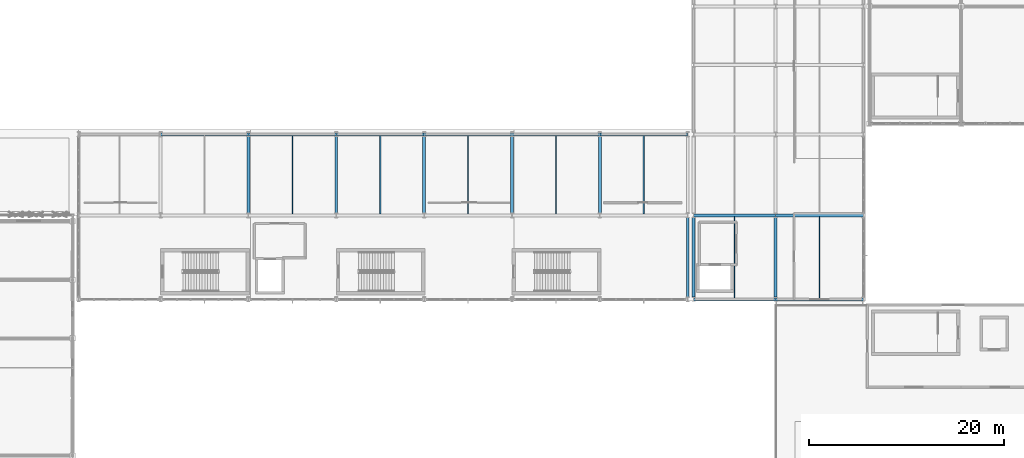
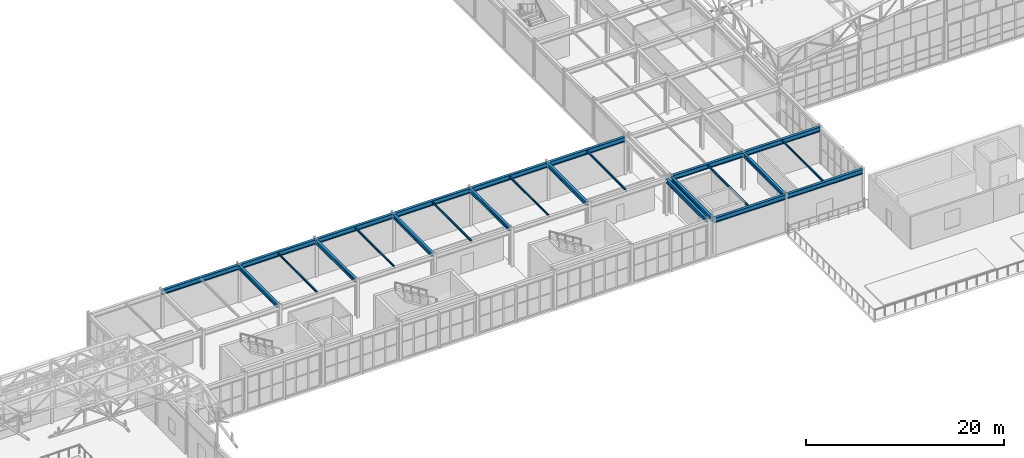
# One storey, part 38 of 112: 25 beams.
"""IFC4 building model written with IfcOpenShell, lengths in metres."""

from ifc_helpers import new_model, si_unit, direction, frame, origin, origin_2d, place, context, subcontext, project, spatial, i_section, extrude, material, material_profile, profile_set, type_object, element, save


model = new_model("IFC4")

# Units and contexts
model_context = context("Model", 3, precision=1e-05, world=origin(), true_north=direction((0.0, 1.0)))
body_context = subcontext(model_context, "Body", "Model", "MODEL_VIEW")
ifc_project = project(units=[si_unit("LENGTHUNIT", "METRE"), si_unit("AREAUNIT", "SQUARE_METRE"), si_unit("VOLUMEUNIT", "CUBIC_METRE"), si_unit("PLANEANGLEUNIT", "RADIAN"), si_unit("MASSUNIT", "GRAM", prefix="KILO")], contexts=[model_context])

# Site, building, storey
site_placement = place(None, origin())
site = spatial("IfcSite", under=ifc_project, at=site_placement, CompositionType="ELEMENT")
building_placement = place(site_placement, origin())
building = spatial("IfcBuilding", under=site, at=building_placement, Name="Kaldris Quays Convention Centre", CompositionType="ELEMENT")
storey_placement = place(building_placement, frame((0.0, 0.0, 16.800048828125)))
storey = spatial("IfcBuildingStorey", under=building, at=storey_placement, Name="L03", CompositionType="ELEMENT", Elevation=16.800048828125)

# Beams
ifc_material = material(Name="Steel S355J2", Category="steel")
ifc_material_profile_1 = material_profile(ifc_material, i_section(OverallWidth=0.300048828125, OverallDepth=0.590087890625, WebThickness=0.012939453125, FlangeThickness=0.02490234375, FilletRadius=0.027099609375, at=origin_2d()), Name="HEA 600")
ifc_profile_set_1 = profile_set([ifc_material_profile_1], Name="Steel S355J2")
beam_type_1 = type_object("IfcBeamType", Name="STRUCTURAL BEAM BM08", PredefinedType="BEAM", material=ifc_profile_set_1)
beam_1_placement = place(storey_placement, frame((146.60107421875, 38.0, 4.284912109375), z_axis=(1.0, 0.0, 0.0), x_axis=(0.0, 1.0, 0.0)))
element("IfcBeam", 1, at=beam_1_placement, inside=storey, type_object=beam_type_1, Name="L03 Girder BM08 8", PredefinedType="BEAM", context=body_context, shape_type="SweptSolid", body=[
    extrude(i_section(OverallWidth=0.300048828125, OverallDepth=0.590087890625, WebThickness=0.012939453125, FlangeThickness=0.02490234375, FilletRadius=0.027099609375, at=origin_2d()), origin(), (0.0, 0.0, 1.0), 8.39794921875),
])
beam_2_placement = place(storey_placement, frame((155.0009765625, 38.0, 4.284912109375), z_axis=(1.0, 0.0, 0.0), x_axis=(0.0, 1.0, 0.0)))
element("IfcBeam", 2, at=beam_2_placement, inside=storey, type_object=beam_type_1, Name="L03 Girder BM08 9", PredefinedType="BEAM", context=body_context, shape_type="SweptSolid", body=[
    extrude(i_section(OverallWidth=0.300048828125, OverallDepth=0.590087890625, WebThickness=0.012939453125, FlangeThickness=0.02490234375, FilletRadius=0.027099609375, at=origin_2d()), origin(), (0.0, 0.0, 1.0), 8.998046875),
])
beam_3_placement = place(storey_placement, frame((146.60107421875, 46.60009765625, 4.284912109375), z_axis=(1.0, 0.0, 0.0), x_axis=(0.0, 1.0, 0.0)))
element("IfcBeam", 3, at=beam_3_placement, inside=storey, type_object=beam_type_1, Name="L03 Girder BM08 17", PredefinedType="BEAM", context=body_context, shape_type="SweptSolid", body=[
    extrude(i_section(OverallWidth=0.300048828125, OverallDepth=0.590087890625, WebThickness=0.012939453125, FlangeThickness=0.02490234375, FilletRadius=0.027099609375, at=origin_2d()), origin(), (0.0, 0.0, 1.0), 8.39794921875),
])
beam_4_placement = place(storey_placement, frame((155.0009765625, 46.60009765625, 4.284912109375), z_axis=(1.0, 0.0, 0.0), x_axis=(0.0, 1.0, 0.0)))
element("IfcBeam", 4, at=beam_4_placement, inside=storey, type_object=beam_type_1, Name="L03 Girder BM08 18", PredefinedType="BEAM", context=body_context, shape_type="SweptSolid", body=[
    extrude(i_section(OverallWidth=0.300048828125, OverallDepth=0.590087890625, WebThickness=0.012939453125, FlangeThickness=0.02490234375, FilletRadius=0.027099609375, at=origin_2d()), origin(), (0.0, 0.0, 1.0), 8.998046875),
])
for number, where, z_axis, x_axis, name in (
    (5, (92.001220703125, 54.89990234375, 4.284912109375), (1.0, 0.0, 0.0), (0.0, 1.0, 0.0), "L03 Girder BM08 20"),
    (6, (101.001220703125, 54.89990234375, 4.284912109375), (1.0, 0.0, 0.0), (0.0, 1.0, 0.0), "L03 Girder BM08 21"),
    (7, (110.001220703125, 54.89990234375, 4.284912109375), (1.0, 0.0, 0.0), (0.0, 1.0, 0.0), "L03 Girder BM08 22"),
    (8, (119.001220703125, 54.89990234375, 4.284912109375), (1.0, 0.0, 0.0), (0.0, 1.0, 0.0), "L03 Girder BM08 23"),
    (9, (128.001220703125, 54.89990234375, 4.284912109375), (1.0, 0.0, 0.0), (0.0, 1.0, 0.0), "L03 Girder BM08 24"),
    (10, (137.001220703125, 54.89990234375, 4.284912109375), (1.0, 0.0, 0.0), (0.0, 1.0, 0.0), "L03 Girder BM08 25"),
):
    element("IfcBeam", number, at=place(storey_placement, frame(where, z_axis=z_axis, x_axis=x_axis)), inside=storey, type_object=beam_type_1, Name=name, PredefinedType="BEAM", context=body_context, shape_type="SweptSolid", body=[
        extrude(i_section(OverallWidth=0.300048828125, OverallDepth=0.590087890625, WebThickness=0.012939453125, FlangeThickness=0.02490234375, FilletRadius=0.027099609375, at=origin_2d()), origin(), (0.0, 0.0, 1.0), 8.99755859375),
    ])
ifc_material_profile_2 = material_profile(ifc_material, i_section(OverallWidth=0.300048828125, OverallDepth=0.489990234375, WebThickness=0.011962890625, FlangeThickness=0.02294921875, FilletRadius=0.027099609375, at=origin_2d()), Name="HEA 500")
ifc_profile_set_2 = profile_set([ifc_material_profile_2], Name="Steel S355J2")
beam_type_2 = type_object("IfcBeamType", Name="STRUCTURAL BEAM BM09", PredefinedType="BEAM", material=ifc_profile_set_2)
for number, where, z_axis, x_axis, name in (
    (11, (101.0, 46.843994140625, 4.3349609375), (0.0, 1.0, 0.0), (-1.0, 0.0, 0.0), "L03 Girder BM09 59"),
    (12, (110.0, 46.843994140625, 4.3349609375), (0.0, 1.0, 0.0), (-1.0, 0.0, 0.0), "L03 Girder BM09 60"),
    (13, (119.0, 46.843994140625, 4.3349609375), (0.0, 1.0, 0.0), (-1.0, 0.0, 0.0), "L03 Girder BM09 61"),
    (14, (128.0, 46.843994140625, 4.3349609375), (0.0, 1.0, 0.0), (-1.0, 0.0, 0.0), "L03 Girder BM09 62"),
    (15, (137.0, 46.843994140625, 4.3349609375), (0.0, 1.0, 0.0), (-1.0, 0.0, 0.0), "L03 Girder BM09 63"),
):
    element("IfcBeam", number, at=place(storey_placement, frame(where, z_axis=z_axis, x_axis=x_axis)), inside=storey, type_object=beam_type_2, Name=name, PredefinedType="BEAM", context=body_context, shape_type="SweptSolid", body=[
        extrude(i_section(OverallWidth=0.300048828125, OverallDepth=0.489990234375, WebThickness=0.011962890625, FlangeThickness=0.02294921875, FilletRadius=0.027099609375, at=origin_2d()), origin(), (0.0, 0.0, 1.0), 7.81201171875),
    ])
beam_5_placement = place(storey_placement, frame((146.0, 38.243896484375, 4.3349609375), z_axis=(0.0, 1.0, 0.0), x_axis=(-1.0, 0.0, 0.0)))
element("IfcBeam", 16, at=beam_5_placement, inside=storey, type_object=beam_type_2, Name="L03 Girder BM09 64", PredefinedType="BEAM", context=body_context, shape_type="SweptSolid", body=[
    extrude(i_section(OverallWidth=0.300048828125, OverallDepth=0.489990234375, WebThickness=0.011962890625, FlangeThickness=0.02294921875, FilletRadius=0.027099609375, at=origin_2d()), origin(), (0.0, 0.0, 1.0), 8.112060546875),
])
for number, where, z_axis, x_axis, name in (
    (17, (146.60009765625, 38.218994140625, 4.3349609375), (0.0, 1.0, 0.0), (-1.0, 0.0, 0.0), "L03 Girder BM09 66"),
    (18, (155.0, 38.218994140625, 4.3349609375), (0.0, 1.0, 0.0), (-1.0, 0.0, 0.0), "L03 Girder BM09 78"),
):
    element("IfcBeam", number, at=place(storey_placement, frame(where, z_axis=z_axis, x_axis=x_axis)), inside=storey, type_object=beam_type_2, Name=name, PredefinedType="BEAM", context=body_context, shape_type="SweptSolid", body=[
        extrude(i_section(OverallWidth=0.300048828125, OverallDepth=0.489990234375, WebThickness=0.011962890625, FlangeThickness=0.02294921875, FilletRadius=0.027099609375, at=origin_2d()), origin(), (0.0, 0.0, 1.0), 8.162109375),
    ])
ifc_material_profile_3 = material_profile(ifc_material, i_section(OverallWidth=0.1201171875, OverallDepth=0.239990234375, WebThickness=0.006103515625, FlangeThickness=0.009765625, FilletRadius=0.014892578125, at=origin_2d()), Name="IPE 240")
ifc_profile_set_3 = profile_set([ifc_material_profile_3], Name="Steel S355J2")
beam_type_3 = type_object("IfcBeamType", Name="STRUCTURAL BEAM JT05", PredefinedType="JOIST", material=ifc_profile_set_3)
for number, where, z_axis, x_axis, name in (
    (19, (150.800048828125, 38.14404296875, 4.4599609375), (0.0, 1.0, 0.0), (-1.0, 0.0, 0.0), "L03 Secondary Joist JT05 1"),
    (20, (159.5, 38.14404296875, 4.4599609375), (0.0, 1.0, 0.0), (-1.0, 0.0, 0.0), "L03 Secondary Joist JT05 2"),
):
    element("IfcBeam", number, at=place(storey_placement, frame(where, z_axis=z_axis, x_axis=x_axis)), inside=storey, type_object=beam_type_3, Name=name, PredefinedType="JOIST", context=body_context, shape_type="SweptSolid", body=[
        extrude(i_section(OverallWidth=0.1201171875, OverallDepth=0.239990234375, WebThickness=0.006103515625, FlangeThickness=0.009765625, FilletRadius=0.014892578125, at=origin_2d()), origin(), (0.0, 0.0, 1.0), 8.31201171875),
    ])
for number, where, z_axis, x_axis, name in (
    (21, (105.5, 46.743896484375, 4.4599609375), (0.0, 1.0, 0.0), (-1.0, 0.0, 0.0), "L03 Secondary Joist JT05 5"),
    (22, (114.5, 46.743896484375, 4.4599609375), (0.0, 1.0, 0.0), (-1.0, 0.0, 0.0), "L03 Secondary Joist JT05 6"),
    (23, (123.5, 46.743896484375, 4.4599609375), (0.0, 1.0, 0.0), (-1.0, 0.0, 0.0), "L03 Secondary Joist JT05 7"),
    (24, (132.5, 46.743896484375, 4.4599609375), (0.0, 1.0, 0.0), (-1.0, 0.0, 0.0), "L03 Secondary Joist JT05 8"),
    (25, (141.5, 46.743896484375, 4.4599609375), (0.0, 1.0, 0.0), (-1.0, 0.0, 0.0), "L03 Secondary Joist JT05 9"),
):
    element("IfcBeam", number, at=place(storey_placement, frame(where, z_axis=z_axis, x_axis=x_axis)), inside=storey, type_object=beam_type_3, Name=name, PredefinedType="JOIST", context=body_context, shape_type="SweptSolid", body=[
        extrude(i_section(OverallWidth=0.1201171875, OverallDepth=0.239990234375, WebThickness=0.006103515625, FlangeThickness=0.009765625, FilletRadius=0.014892578125, at=origin_2d()), origin(), (0.0, 0.0, 1.0), 8.01220703125),
    ])

save(model, "model.ifc")
